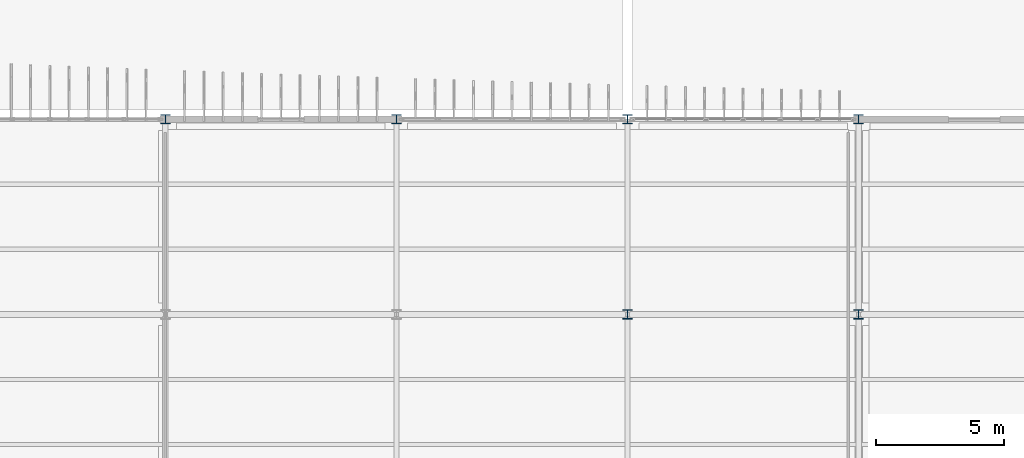
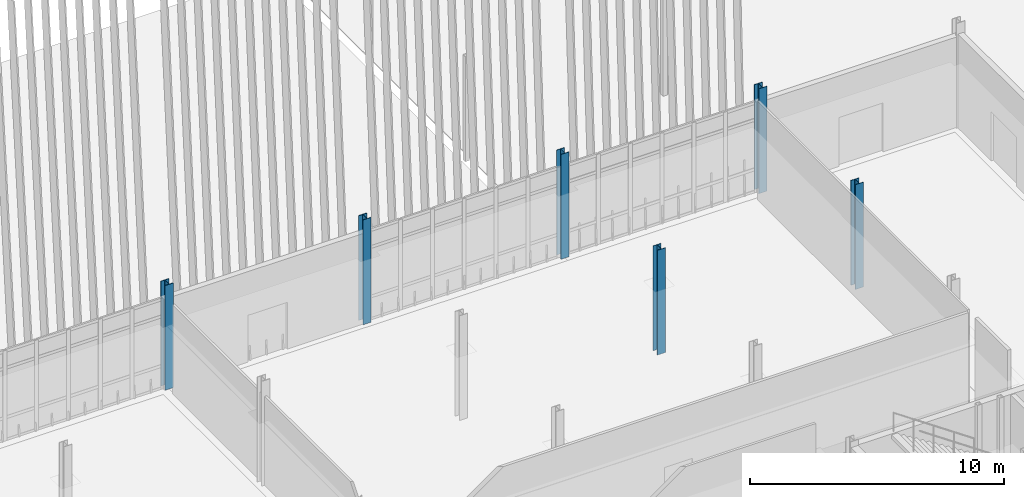
# One storey, part 9 of 161: 6 columns.
"""IFC4 building model written with IfcOpenShell, lengths in metres."""

from ifc_helpers import new_model, si_unit, direction, frame, origin, origin_2d, place, context, subcontext, project, spatial, i_section, extrude, material, material_profile, profile_set, type_object, element, save


model = new_model("IFC4")

# Units and contexts
model_context = context("Model", 3, precision=1e-05, world=origin(), true_north=direction((0.0, 1.0)))
body_context = subcontext(model_context, "Body", "Model", "MODEL_VIEW")
ifc_project = project(units=[si_unit("LENGTHUNIT", "METRE"), si_unit("AREAUNIT", "SQUARE_METRE"), si_unit("VOLUMEUNIT", "CUBIC_METRE"), si_unit("PLANEANGLEUNIT", "RADIAN"), si_unit("MASSUNIT", "GRAM", prefix="KILO")], contexts=[model_context])

# Site, building, storey
site_placement = place(None, origin())
site = spatial("IfcSite", under=ifc_project, at=site_placement, CompositionType="ELEMENT")
building_placement = place(site_placement, origin())
building = spatial("IfcBuilding", under=site, at=building_placement, Name="Caisbarro Railhouse Central Library", CompositionType="ELEMENT")
storey_placement = place(building_placement, origin())
storey = spatial("IfcBuildingStorey", under=building, at=storey_placement, Name="L00", CompositionType="ELEMENT", Elevation=0.0)

# Columns
ifc_material = material(Name="Steel ASTM A572 Grade 50", Category="steel")
ifc_material_profile = material_profile(ifc_material, i_section(OverallWidth=0.37109375, OverallDepth=0.364013671875, WebThickness=0.01318359375, FlangeThickness=0.021728515625, FilletRadius=0.01806640625, at=origin_2d()), Name="W360X162.0")
ifc_profile_set = profile_set([ifc_material_profile], Name="Steel ASTM A572 Grade 50")
column_type = type_object("IfcColumnType", Name="COL-C02", PredefinedType="COLUMN", material=ifc_profile_set)
for number, where, z_axis, x_axis, name in (
    (1, (36.0, 60.800048828125, 0.0), (0.0, 0.0, 1.0), (1.0, 0.0, 0.0), "C02 column L00 (36.0,60.8)"),
    (2, (45.0, 60.800048828125, 0.0), (0.0, 0.0, 1.0), (1.0, 0.0, 0.0), "C02 column L00 (45.0,60.8)"),
    (3, (54.0, 53.199951171875, 0.0), (0.0, 0.0, 1.0), (1.0, 0.0, 0.0), "C02 column L00 (54.0,53.2)"),
    (4, (54.0, 60.800048828125, 0.0), (0.0, 0.0, 1.0), (1.0, 0.0, 0.0), "C02 column L00 (54.0,60.8)"),
    (5, (63.0, 53.199951171875, 0.0), (0.0, 0.0, 1.0), (1.0, 0.0, 0.0), "C02 column L00 (63.0,53.2)"),
    (6, (63.0, 60.800048828125, 0.0), (0.0, 0.0, 1.0), (1.0, 0.0, 0.0), "C02 column L00 (63.0,60.8)"),
):
    element("IfcColumn", number, at=place(storey_placement, frame(where, z_axis=z_axis, x_axis=x_axis)), inside=storey, type_object=column_type, Name=name, PredefinedType="COLUMN", context=body_context, shape_type="SweptSolid", body=[
        extrude(i_section(OverallWidth=0.37109375, OverallDepth=0.364013671875, WebThickness=0.01318359375, FlangeThickness=0.021728515625, FilletRadius=0.01806640625, at=origin_2d()), origin(), (0.0, 0.0, 1.0), 5.0400390625),
    ])

save(model, "model.ifc")
